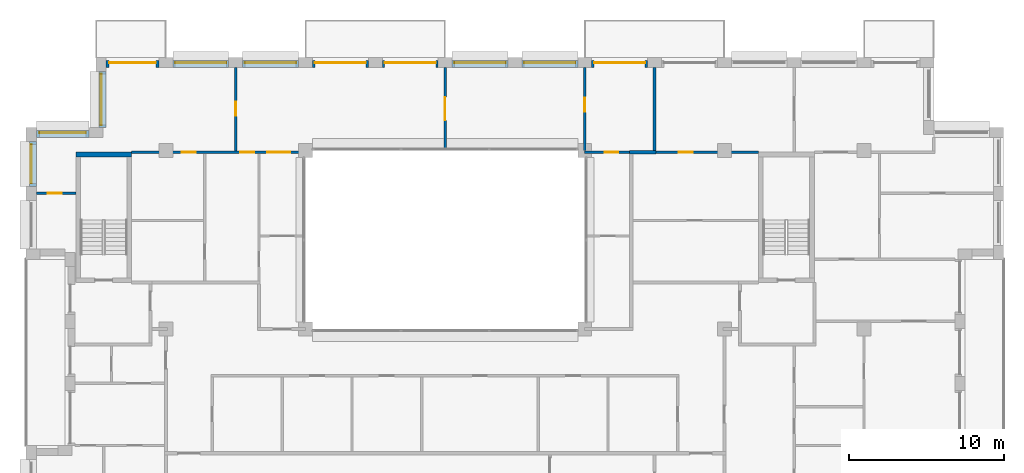
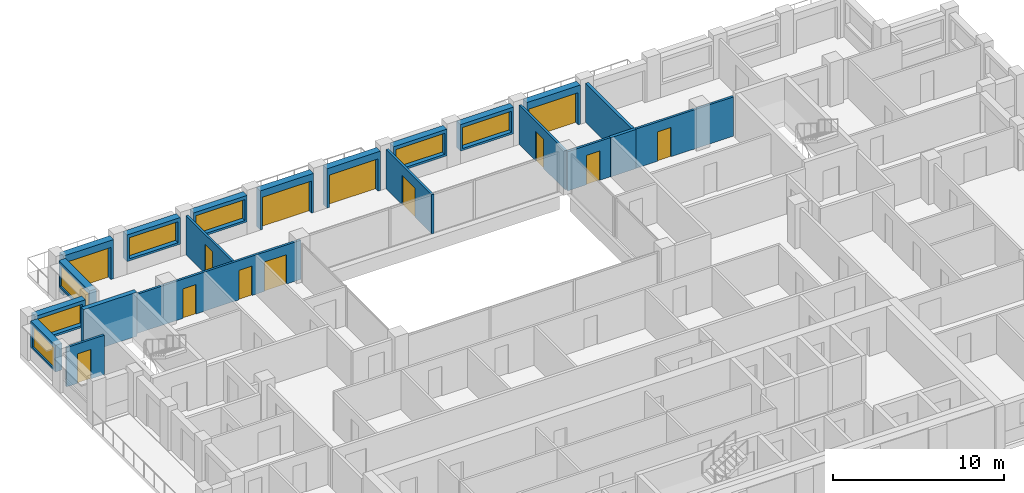
# One storey, part 13 of 15: 21 walls, 13 doors, 7 windows, 20 openings.
"""IFC4 building model written with IfcOpenShell, lengths in metres."""

from ifc_helpers import new_model, si_unit, direction, frame, frame_2d, origin, place, context, subcontext, project, spatial, rectangle, extrude, material, layer, layer_set, type_object, element, fill, save


model = new_model("IFC4")

# Units and contexts
model_context = context("Model", 3, precision=1e-05, world=origin(), true_north=direction((0.0, 1.0)))
body_context = subcontext(model_context, "Body", "Model", "MODEL_VIEW")
ifc_project = project(units=[si_unit("LENGTHUNIT", "METRE"), si_unit("AREAUNIT", "SQUARE_METRE"), si_unit("VOLUMEUNIT", "CUBIC_METRE"), si_unit("PLANEANGLEUNIT", "RADIAN"), si_unit("MASSUNIT", "GRAM", prefix="KILO")], contexts=[model_context])

# Site, building, storey
site_placement = place(None, origin())
site = spatial("IfcSite", under=ifc_project, at=site_placement, CompositionType="ELEMENT")
building_placement = place(site_placement, origin())
building = spatial("IfcBuilding", under=site, at=building_placement, Name="Brigalow Station Residences", CompositionType="ELEMENT")
storey_placement = place(building_placement, frame((0.0, 0.0, 232.64990234375)))
storey = spatial("IfcBuildingStorey", under=building, at=storey_placement, Name="L67", CompositionType="ELEMENT", Elevation=232.64990234375)

# Wall, opening, door
ifc_material_1 = material(Name="Clay brick masonry", Category="masonry")
ifc_layer_1 = layer(ifc_material_1, 0.449951171875)
ifc_layer_set_1 = layer_set([ifc_layer_1], Name="BRICK INFILL WALL 450")
wall_type_1 = type_object("IfcWallType", Name="BRICK INFILL WALL 450", PredefinedType="SOLIDWALL", material=ifc_layer_set_1)
wall_1_placement = place(storey_placement, frame((49.050048828125, 41.074951171875, 0.0), z_axis=(0.0, 0.0, 1.0), x_axis=(-1.0, 0.0, 0.0)))
wall_1 = element("IfcWall", 1, at=wall_1_placement, inside=storey, type_object=wall_type_1, Name="L67/ewall/W-L67-24", PredefinedType="SOLIDWALL", context=body_context, shape_type="SweptSolid", body=[
    extrude(rectangle(XDim=3.60009765625, YDim=0.449951171875, at=frame_2d((1.800048828125, 0.0))), origin(), (0.0, 0.0, 1.0), 2.800048828125),
])
opening_1_placement = place(wall_1_placement, frame((0.14990234375, 0.0, 0.0)))
opening_1 = element("IfcOpeningElement", 2, at=opening_1_placement, cuts=wall_1, Name="Opening D-B3300", PredefinedType="OPENING", context=body_context, shape_type="SweptSolid", body=[
    extrude(rectangle(XDim=3.300048828125, YDim=2.300048828125, at=frame_2d((1.64990234375, 1.14990234375))), frame((0.0, 0.23486328125, 0.0), z_axis=(0.0, -1.0, 0.0), x_axis=(1.0, 0.0, 0.0)), (0.0, 0.0, 1.0), 0.469970703125),
])
ifc_material_2 = material(Name="Anodised aluminium frame with double glazing", Category="aluminium")
door_type_1 = type_object("IfcDoorType", Name="BALCONY SLIDING DOOR 3300x2300", OperationType="SLIDING_TO_LEFT", PredefinedType="DOOR", material=ifc_material_2)
door_1_placement = place(opening_1_placement, origin())
door_1 = element("IfcDoor", 3, at=door_1_placement, inside=storey, type_object=door_type_1, Name="L67/balcony-door/W-L67-24", OperationType="SLIDING_TO_LEFT", OverallHeight=2.300048828125, OverallWidth=3.300048828125, PredefinedType="DOOR", context=body_context, shape_type="SweptSolid", body=[
    extrude(rectangle(XDim=3.300048828125, YDim=2.300048828125, at=frame_2d((1.64990234375, 1.14990234375))), frame((0.0, -0.06982421875, 0.0), z_axis=(0.0, -1.0, 0.0), x_axis=(1.0, 0.0, 0.0)), (0.0, 0.0, 1.0), 0.050048828125),
])
fill(opening_1, door_1)

# Wall, opening, window
wall_2_placement = place(storey_placement, frame((44.550048828125, 41.074951171875, 0.900146484375), z_axis=(0.0, 0.0, 1.0), x_axis=(-1.0, 0.0, 0.0)))
wall_2 = element("IfcWall", 4, at=wall_2_placement, inside=storey, type_object=wall_type_1, Name="L67/ewall/W-L67-25", PredefinedType="SOLIDWALL", context=body_context, shape_type="SweptSolid", body=[
    extrude(rectangle(XDim=3.60009765625, YDim=0.449951171875, at=frame_2d((1.800048828125, 0.0))), origin(), (0.0, 0.0, 1.0), 1.89990234375),
])
opening_2_placement = place(wall_2_placement, frame((0.14990234375, 0.0, 0.14990234375)))
opening_2 = element("IfcOpeningElement", 5, at=opening_2_placement, cuts=wall_2, Name="Opening WT-10", PredefinedType="OPENING", context=body_context, shape_type="SweptSolid", body=[
    extrude(rectangle(XDim=3.300048828125, YDim=1.5, at=frame_2d((1.64990234375, 0.75))), frame((0.0, 0.23486328125, 0.0), z_axis=(0.0, -1.0, 0.0), x_axis=(1.0, 0.0, 0.0)), (0.0, 0.0, 1.0), 0.469970703125),
])
ifc_material_3 = material(Name="Anodised aluminium frame with double glazing", Category="aluminium")
window_type_1 = type_object("IfcWindowType", Name="WINDOW 3300x1500", PartitioningType="SINGLE_PANEL", PredefinedType="WINDOW", material=ifc_material_3)
window_1_placement = place(opening_2_placement, origin())
window_1 = element("IfcWindow", 6, at=window_1_placement, inside=storey, type_object=window_type_1, Name="L67/window/W-L67-25", OverallHeight=1.5, OverallWidth=3.300048828125, PartitioningType="SINGLE_PANEL", PredefinedType="WINDOW", context=body_context, shape_type="SweptSolid", body=[
    extrude(rectangle(XDim=3.300048828125, YDim=1.5, at=frame_2d((1.64990234375, 0.75))), frame((0.0, -0.06494140625, 0.0), z_axis=(0.0, -1.0, 0.0), x_axis=(1.0, 0.0, 0.0)), (0.0, 0.0, 1.0), 0.06005859375),
])
fill(opening_2, window_1)

wall_3_placement = place(storey_placement, frame((40.050048828125, 41.074951171875, 0.900146484375), z_axis=(0.0, 0.0, 1.0), x_axis=(-1.0, 0.0, 0.0)))
wall_3 = element("IfcWall", 7, at=wall_3_placement, inside=storey, type_object=wall_type_1, Name="L67/ewall/W-L67-26", PredefinedType="SOLIDWALL", context=body_context, shape_type="SweptSolid", body=[
    extrude(rectangle(XDim=3.60009765625, YDim=0.449951171875, at=frame_2d((1.800048828125, 0.0))), origin(), (0.0, 0.0, 1.0), 1.89990234375),
])
opening_3_placement = place(wall_3_placement, frame((0.14990234375, 0.0, 0.14990234375)))
opening_3 = element("IfcOpeningElement", 8, at=opening_3_placement, cuts=wall_3, Name="Opening WT-10", PredefinedType="OPENING", context=body_context, shape_type="SweptSolid", body=[
    extrude(rectangle(XDim=3.300048828125, YDim=1.5, at=frame_2d((1.64990234375, 0.75))), frame((0.0, 0.23486328125, 0.0), z_axis=(0.0, -1.0, 0.0), x_axis=(1.0, 0.0, 0.0)), (0.0, 0.0, 1.0), 0.469970703125),
])
window_2_placement = place(opening_3_placement, origin())
window_2 = element("IfcWindow", 9, at=window_2_placement, inside=storey, type_object=window_type_1, Name="L67/window/W-L67-26", OverallHeight=1.5, OverallWidth=3.300048828125, PartitioningType="SINGLE_PANEL", PredefinedType="WINDOW", context=body_context, shape_type="SweptSolid", body=[
    extrude(rectangle(XDim=3.300048828125, YDim=1.5, at=frame_2d((1.64990234375, 0.75))), frame((0.0, -0.06494140625, 0.0), z_axis=(0.0, -1.0, 0.0), x_axis=(1.0, 0.0, 0.0)), (0.0, 0.0, 1.0), 0.06005859375),
])
fill(opening_3, window_2)

# Wall, opening, door
wall_4_placement = place(storey_placement, frame((35.550048828125, 41.074951171875, 0.0), z_axis=(0.0, 0.0, 1.0), x_axis=(-1.0, 0.0, 0.0)))
wall_4 = element("IfcWall", 10, at=wall_4_placement, inside=storey, type_object=wall_type_1, Name="L67/ewall/W-L67-27", PredefinedType="SOLIDWALL", context=body_context, shape_type="SweptSolid", body=[
    extrude(rectangle(XDim=3.60009765625, YDim=0.449951171875, at=frame_2d((1.800048828125, 0.0))), origin(), (0.0, 0.0, 1.0), 2.800048828125),
])
opening_4_placement = place(wall_4_placement, frame((0.14990234375, 0.0, 0.0)))
opening_4 = element("IfcOpeningElement", 11, at=opening_4_placement, cuts=wall_4, Name="Opening D-B3300", PredefinedType="OPENING", context=body_context, shape_type="SweptSolid", body=[
    extrude(rectangle(XDim=3.300048828125, YDim=2.300048828125, at=frame_2d((1.64990234375, 1.14990234375))), frame((0.0, 0.23486328125, 0.0), z_axis=(0.0, -1.0, 0.0), x_axis=(1.0, 0.0, 0.0)), (0.0, 0.0, 1.0), 0.469970703125),
])
door_2_placement = place(opening_4_placement, origin())
door_2 = element("IfcDoor", 12, at=door_2_placement, inside=storey, type_object=door_type_1, Name="L67/balcony-door/W-L67-27", OperationType="SLIDING_TO_LEFT", OverallHeight=2.300048828125, OverallWidth=3.300048828125, PredefinedType="DOOR", context=body_context, shape_type="SweptSolid", body=[
    extrude(rectangle(XDim=3.300048828125, YDim=2.300048828125, at=frame_2d((1.64990234375, 1.14990234375))), frame((0.0, -0.06982421875, 0.0), z_axis=(0.0, -1.0, 0.0), x_axis=(1.0, 0.0, 0.0)), (0.0, 0.0, 1.0), 0.050048828125),
])
fill(opening_4, door_2)

wall_5_placement = place(storey_placement, frame((31.050048828125, 41.074951171875, 0.0), z_axis=(0.0, 0.0, 1.0), x_axis=(-1.0, 0.0, 0.0)))
wall_5 = element("IfcWall", 13, at=wall_5_placement, inside=storey, type_object=wall_type_1, Name="L67/ewall/W-L67-28", PredefinedType="SOLIDWALL", context=body_context, shape_type="SweptSolid", body=[
    extrude(rectangle(XDim=3.60009765625, YDim=0.449951171875, at=frame_2d((1.800048828125, 0.0))), origin(), (0.0, 0.0, 1.0), 2.800048828125),
])
opening_5_placement = place(wall_5_placement, frame((0.14990234375, 0.0, 0.0)))
opening_5 = element("IfcOpeningElement", 14, at=opening_5_placement, cuts=wall_5, Name="Opening D-B3300", PredefinedType="OPENING", context=body_context, shape_type="SweptSolid", body=[
    extrude(rectangle(XDim=3.300048828125, YDim=2.300048828125, at=frame_2d((1.64990234375, 1.14990234375))), frame((0.0, 0.23486328125, 0.0), z_axis=(0.0, -1.0, 0.0), x_axis=(1.0, 0.0, 0.0)), (0.0, 0.0, 1.0), 0.469970703125),
])
door_3_placement = place(opening_5_placement, origin())
door_3 = element("IfcDoor", 15, at=door_3_placement, inside=storey, type_object=door_type_1, Name="L67/balcony-door/W-L67-28", OperationType="SLIDING_TO_LEFT", OverallHeight=2.300048828125, OverallWidth=3.300048828125, PredefinedType="DOOR", context=body_context, shape_type="SweptSolid", body=[
    extrude(rectangle(XDim=3.300048828125, YDim=2.300048828125, at=frame_2d((1.64990234375, 1.14990234375))), frame((0.0, -0.06982421875, 0.0), z_axis=(0.0, -1.0, 0.0), x_axis=(1.0, 0.0, 0.0)), (0.0, 0.0, 1.0), 0.050048828125),
])
fill(opening_5, door_3)

# Wall, opening, window
wall_6_placement = place(storey_placement, frame((26.550048828125, 41.074951171875, 0.900146484375), z_axis=(0.0, 0.0, 1.0), x_axis=(-1.0, 0.0, 0.0)))
wall_6 = element("IfcWall", 16, at=wall_6_placement, inside=storey, type_object=wall_type_1, Name="L67/ewall/W-L67-29", PredefinedType="SOLIDWALL", context=body_context, shape_type="SweptSolid", body=[
    extrude(rectangle(XDim=3.60009765625, YDim=0.449951171875, at=frame_2d((1.800048828125, 0.0))), origin(), (0.0, 0.0, 1.0), 1.89990234375),
])
opening_6_placement = place(wall_6_placement, frame((0.14990234375, 0.0, 0.14990234375)))
opening_6 = element("IfcOpeningElement", 17, at=opening_6_placement, cuts=wall_6, Name="Opening WT-10", PredefinedType="OPENING", context=body_context, shape_type="SweptSolid", body=[
    extrude(rectangle(XDim=3.300048828125, YDim=1.5, at=frame_2d((1.64990234375, 0.75))), frame((0.0, 0.23486328125, 0.0), z_axis=(0.0, -1.0, 0.0), x_axis=(1.0, 0.0, 0.0)), (0.0, 0.0, 1.0), 0.469970703125),
])
window_3_placement = place(opening_6_placement, origin())
window_3 = element("IfcWindow", 18, at=window_3_placement, inside=storey, type_object=window_type_1, Name="L67/window/W-L67-29", OverallHeight=1.5, OverallWidth=3.300048828125, PartitioningType="SINGLE_PANEL", PredefinedType="WINDOW", context=body_context, shape_type="SweptSolid", body=[
    extrude(rectangle(XDim=3.300048828125, YDim=1.5, at=frame_2d((1.64990234375, 0.75))), frame((0.0, -0.06494140625, 0.0), z_axis=(0.0, -1.0, 0.0), x_axis=(1.0, 0.0, 0.0)), (0.0, 0.0, 1.0), 0.06005859375),
])
fill(opening_6, window_3)

wall_7_placement = place(storey_placement, frame((22.050048828125, 41.074951171875, 0.900146484375), z_axis=(0.0, 0.0, 1.0), x_axis=(-1.0, 0.0, 0.0)))
wall_7 = element("IfcWall", 19, at=wall_7_placement, inside=storey, type_object=wall_type_1, Name="L67/ewall/W-L67-30", PredefinedType="SOLIDWALL", context=body_context, shape_type="SweptSolid", body=[
    extrude(rectangle(XDim=3.60009765625, YDim=0.449951171875, at=frame_2d((1.800048828125, 0.0))), origin(), (0.0, 0.0, 1.0), 1.89990234375),
])
opening_7_placement = place(wall_7_placement, frame((0.14990234375, 0.0, 0.14990234375)))
opening_7 = element("IfcOpeningElement", 20, at=opening_7_placement, cuts=wall_7, Name="Opening WT-10", PredefinedType="OPENING", context=body_context, shape_type="SweptSolid", body=[
    extrude(rectangle(XDim=3.300048828125, YDim=1.5, at=frame_2d((1.64990234375, 0.75))), frame((0.0, 0.23486328125, 0.0), z_axis=(0.0, -1.0, 0.0), x_axis=(1.0, 0.0, 0.0)), (0.0, 0.0, 1.0), 0.469970703125),
])
window_4_placement = place(opening_7_placement, origin())
window_4 = element("IfcWindow", 21, at=window_4_placement, inside=storey, type_object=window_type_1, Name="L67/window/W-L67-30", OverallHeight=1.5, OverallWidth=3.300048828125, PartitioningType="SINGLE_PANEL", PredefinedType="WINDOW", context=body_context, shape_type="SweptSolid", body=[
    extrude(rectangle(XDim=3.300048828125, YDim=1.5, at=frame_2d((1.64990234375, 0.75))), frame((0.0, -0.06494140625, 0.0), z_axis=(0.0, -1.0, 0.0), x_axis=(1.0, 0.0, 0.0)), (0.0, 0.0, 1.0), 0.06005859375),
])
fill(opening_7, window_4)

# Wall, opening, door
wall_8_placement = place(storey_placement, frame((17.550048828125, 41.074951171875, 0.0), z_axis=(0.0, 0.0, 1.0), x_axis=(-1.0, 0.0, 0.0)))
wall_8 = element("IfcWall", 22, at=wall_8_placement, inside=storey, type_object=wall_type_1, Name="L67/ewall/W-L67-31", PredefinedType="SOLIDWALL", context=body_context, shape_type="SweptSolid", body=[
    extrude(rectangle(XDim=3.400146484375, YDim=0.449951171875, at=frame_2d((1.7001953125, 0.0))), origin(), (0.0, 0.0, 1.0), 2.800048828125),
])
opening_8_placement = place(wall_8_placement, frame((0.199951171875, 0.0, 0.0)))
opening_8 = element("IfcOpeningElement", 23, at=opening_8_placement, cuts=wall_8, Name="Opening D-B3000", PredefinedType="OPENING", context=body_context, shape_type="SweptSolid", body=[
    extrude(rectangle(XDim=3.0, YDim=2.300048828125, at=frame_2d((1.5, 1.14990234375))), frame((0.0, 0.23486328125, 0.0), z_axis=(0.0, -1.0, 0.0), x_axis=(1.0, 0.0, 0.0)), (0.0, 0.0, 1.0), 0.469970703125),
])
ifc_material_4 = material(Name="Anodised aluminium frame with double glazing", Category="aluminium")
door_type_2 = type_object("IfcDoorType", Name="BALCONY SLIDING DOOR 3000x2300", OperationType="SLIDING_TO_LEFT", PredefinedType="DOOR", material=ifc_material_4)
door_4_placement = place(opening_8_placement, origin())
door_4 = element("IfcDoor", 24, at=door_4_placement, inside=storey, type_object=door_type_2, Name="L67/balcony-door/W-L67-31", OperationType="SLIDING_TO_LEFT", OverallHeight=2.300048828125, OverallWidth=3.0, PredefinedType="DOOR", context=body_context, shape_type="SweptSolid", body=[
    extrude(rectangle(XDim=3.0, YDim=2.300048828125, at=frame_2d((1.5, 1.14990234375))), frame((0.0, -0.06982421875, 0.0), z_axis=(0.0, -1.0, 0.0), x_axis=(1.0, 0.0, 0.0)), (0.0, 0.0, 1.0), 0.050048828125),
])
fill(opening_8, door_4)

# Wall, opening, window
wall_9_placement = place(storey_placement, frame((13.925048828125, 40.60009765625, 0.900146484375), z_axis=(0.0, 0.0, 1.0), x_axis=(0.0, -1.0, 0.0)))
wall_9 = element("IfcWall", 25, at=wall_9_placement, inside=storey, type_object=wall_type_1, Name="L67/ewall/W-L67-32", PredefinedType="SOLIDWALL", context=body_context, shape_type="SweptSolid", body=[
    extrude(rectangle(XDim=3.60009765625, YDim=0.449951171875, at=frame_2d((1.800048828125, 0.0))), origin(), (0.0, 0.0, 1.0), 1.89990234375),
])
opening_9_placement = place(wall_9_placement, frame((0.14990234375, 0.0, 0.14990234375)))
opening_9 = element("IfcOpeningElement", 26, at=opening_9_placement, cuts=wall_9, Name="Opening WT-10", PredefinedType="OPENING", context=body_context, shape_type="SweptSolid", body=[
    extrude(rectangle(XDim=3.300048828125, YDim=1.5, at=frame_2d((1.64990234375, 0.75))), frame((0.0, 0.23486328125, 0.0), z_axis=(0.0, -1.0, 0.0), x_axis=(1.0, 0.0, 0.0)), (0.0, 0.0, 1.0), 0.469970703125),
])
window_5_placement = place(opening_9_placement, origin())
window_5 = element("IfcWindow", 27, at=window_5_placement, inside=storey, type_object=window_type_1, Name="L67/window/W-L67-32", OverallHeight=1.5, OverallWidth=3.300048828125, PartitioningType="SINGLE_PANEL", PredefinedType="WINDOW", context=body_context, shape_type="SweptSolid", body=[
    extrude(rectangle(XDim=3.300048828125, YDim=1.5, at=frame_2d((1.64990234375, 0.75))), frame((0.0, -0.06494140625, 0.0), z_axis=(0.0, -1.0, 0.0), x_axis=(1.0, 0.0, 0.0)), (0.0, 0.0, 1.0), 0.06005859375),
])
fill(opening_9, window_5)

wall_10_placement = place(storey_placement, frame((13.050048828125, 36.574951171875, 0.900146484375), z_axis=(0.0, 0.0, 1.0), x_axis=(-1.0, 0.0, 0.0)))
wall_10 = element("IfcWall", 28, at=wall_10_placement, inside=storey, type_object=wall_type_1, Name="L67/ewall/W-L67-33", PredefinedType="SOLIDWALL", context=body_context, shape_type="SweptSolid", body=[
    extrude(rectangle(XDim=3.400146484375, YDim=0.449951171875, at=frame_2d((1.7001953125, 0.0))), origin(), (0.0, 0.0, 1.0), 1.89990234375),
])
opening_10_placement = place(wall_10_placement, frame((0.199951171875, 0.0, 0.14990234375)))
opening_10 = element("IfcOpeningElement", 29, at=opening_10_placement, cuts=wall_10, Name="Opening WT-2", PredefinedType="OPENING", context=body_context, shape_type="SweptSolid", body=[
    extrude(rectangle(XDim=3.0, YDim=1.5, at=frame_2d((1.5, 0.75))), frame((0.0, 0.23486328125, 0.0), z_axis=(0.0, -1.0, 0.0), x_axis=(1.0, 0.0, 0.0)), (0.0, 0.0, 1.0), 0.469970703125),
])
ifc_material_5 = material(Name="Anodised aluminium frame with double glazing", Category="aluminium")
window_type_2 = type_object("IfcWindowType", Name="WINDOW 3000x1500", PartitioningType="SINGLE_PANEL", PredefinedType="WINDOW", material=ifc_material_5)
window_6_placement = place(opening_10_placement, origin())
window_6 = element("IfcWindow", 30, at=window_6_placement, inside=storey, type_object=window_type_2, Name="L67/window/W-L67-33", OverallHeight=1.5, OverallWidth=3.0, PartitioningType="SINGLE_PANEL", PredefinedType="WINDOW", context=body_context, shape_type="SweptSolid", body=[
    extrude(rectangle(XDim=3.0, YDim=1.5, at=frame_2d((1.5, 0.75))), frame((0.0, -0.06494140625, 0.0), z_axis=(0.0, -1.0, 0.0), x_axis=(1.0, 0.0, 0.0)), (0.0, 0.0, 1.0), 0.06005859375),
])
fill(opening_10, window_6)

wall_11_placement = place(storey_placement, frame((9.425048828125, 36.10009765625, 0.900146484375), z_axis=(0.0, 0.0, 1.0), x_axis=(0.0, -1.0, 0.0)))
wall_11 = element("IfcWall", 31, at=wall_11_placement, inside=storey, type_object=wall_type_1, Name="L67/ewall/W-L67-34", PredefinedType="SOLIDWALL", context=body_context, shape_type="SweptSolid", body=[
    extrude(rectangle(XDim=2.900146484375, YDim=0.449951171875, at=frame_2d((1.4501953125, 0.0))), origin(), (0.0, 0.0, 1.0), 1.89990234375),
])
opening_11_placement = place(wall_11_placement, frame((0.199951171875, 0.0, 0.14990234375)))
opening_11 = element("IfcOpeningElement", 32, at=opening_11_placement, cuts=wall_11, Name="Opening WT-5", PredefinedType="OPENING", context=body_context, shape_type="SweptSolid", body=[
    extrude(rectangle(XDim=2.5, YDim=1.5, at=frame_2d((1.25, 0.75))), frame((0.0, 0.23486328125, 0.0), z_axis=(0.0, -1.0, 0.0), x_axis=(1.0, 0.0, 0.0)), (0.0, 0.0, 1.0), 0.469970703125),
])
ifc_material_6 = material(Name="Anodised aluminium frame with double glazing", Category="aluminium")
window_type_3 = type_object("IfcWindowType", Name="WINDOW 2500x1500", PartitioningType="SINGLE_PANEL", PredefinedType="WINDOW", material=ifc_material_6)
window_7_placement = place(opening_11_placement, origin())
window_7 = element("IfcWindow", 33, at=window_7_placement, inside=storey, type_object=window_type_3, Name="L67/window/W-L67-34", OverallHeight=1.5, OverallWidth=2.5, PartitioningType="SINGLE_PANEL", PredefinedType="WINDOW", context=body_context, shape_type="SweptSolid", body=[
    extrude(rectangle(XDim=2.5, YDim=1.5, at=frame_2d((1.25, 0.75))), frame((0.0, -0.06494140625, 0.0), z_axis=(0.0, -1.0, 0.0), x_axis=(1.0, 0.0, 0.0)), (0.0, 0.0, 1.0), 0.06005859375),
])
fill(opening_11, window_7)

# Wall
ifc_material_7 = material(Name="Concrete C50", Category="concrete")
ifc_layer_2 = layer(ifc_material_7, 0.300048828125)
ifc_layer_set_2 = layer_set([ifc_layer_2], Name="CORE SHEAR WALL 300 C50")
wall_type_2 = type_object("IfcWallType", Name="CORE SHEAR WALL 300 C50", PredefinedType="SHEAR", material=ifc_layer_set_2)
wall_12_placement = place(storey_placement, frame((12.199951171875, 35.25, 0.0), z_axis=(0.0, 0.0, 1.0), x_axis=(1.0, 0.0, 0.0)))
element("IfcWall", 34, at=wall_12_placement, inside=storey, type_object=wall_type_2, Name="CORE WALL ST-S1-N L67", PredefinedType="SHEAR", context=body_context, shape_type="SweptSolid", body=[
    extrude(rectangle(XDim=3.60009765625, YDim=0.300048828125, at=frame_2d((1.800048828125, 0.0))), origin(), (0.0, 0.0, 1.0), 3.150146484375),
])

# Wall, openings, doors
ifc_material_8 = material(Name="Plasterboard on steel stud partition", Category="steel")
ifc_layer_3 = layer(ifc_material_8, 0.14990234375)
ifc_layer_set_3 = layer_set([ifc_layer_3], Name="FLAT PARTITION 150")
wall_type_3 = type_object("IfcWallType", Name="FLAT PARTITION 150", PredefinedType="PARTITIONING", material=ifc_layer_set_3)
wall_13_placement = place(storey_placement, frame((15.800048828125, 35.39990234375, 0.0), z_axis=(0.0, 0.0, 1.0), x_axis=(1.0, 0.0, 0.0)))
wall_13 = element("IfcWall", 35, at=wall_13_placement, inside=storey, type_object=wall_type_3, Name="PW-4E19", PredefinedType="PARTITIONING", context=body_context, shape_type="SweptSolid", body=[
    extrude(rectangle(XDim=11.199951171875, YDim=0.14990234375, at=frame_2d((5.60009765625, 0.0))), origin(), (0.0, 0.0, 1.0), 2.800048828125),
])
opening_12_placement = place(wall_13_placement, frame((8.72509765625, 0.0, 0.0)))
opening_12 = element("IfcOpeningElement", 36, at=opening_12_placement, cuts=wall_13, Name="Opening D-4E15", PredefinedType="OPENING", context=body_context, shape_type="SweptSolid", body=[
    extrude(rectangle(XDim=1.5, YDim=2.10009765625, at=frame_2d((0.75, 1.050048828125))), frame((0.0, 0.0849609375, 0.0), z_axis=(0.0, -1.0, 0.0), x_axis=(1.0, 0.0, 0.0)), (0.0, 0.0, 1.0), 0.169921875),
])
opening_13_placement = place(wall_13_placement, frame((7.0, 0.0, 0.0)))
opening_13 = element("IfcOpeningElement", 37, at=opening_13_placement, cuts=wall_13, Name="Opening D-4E16", PredefinedType="OPENING", context=body_context, shape_type="SweptSolid", body=[
    extrude(rectangle(XDim=0.89990234375, YDim=2.10009765625, at=frame_2d((0.449951171875, 1.050048828125))), frame((0.0, 0.0849609375, 0.0), z_axis=(0.0, -1.0, 0.0), x_axis=(1.0, 0.0, 0.0)), (0.0, 0.0, 1.0), 0.169921875),
])
opening_14_placement = place(wall_13_placement, frame((3.22509765625, 0.0, 0.0)))
opening_14 = element("IfcOpeningElement", 38, at=opening_14_placement, cuts=wall_13, Name="Opening D-4E19", PredefinedType="OPENING", context=body_context, shape_type="SweptSolid", body=[
    extrude(rectangle(XDim=0.89990234375, YDim=2.10009765625, at=frame_2d((0.449951171875, 1.050048828125))), frame((0.0, 0.0849609375, 0.0), z_axis=(0.0, -1.0, 0.0), x_axis=(1.0, 0.0, 0.0)), (0.0, 0.0, 1.0), 0.169921875),
])
ifc_material_9 = material(Name="Solid-core timber door leaf", Category="wood")
door_type_3 = type_object("IfcDoorType", Name="INTERNAL DOOR 900 x 2100", OperationType="SINGLE_SWING_LEFT", PredefinedType="DOOR", material=ifc_material_9)
door_5_placement = place(opening_13_placement, frame((0.89990234375, 0.0, 0.0), z_axis=(0.0, 0.0, 1.0), x_axis=(-1.0, 0.0, 0.0)))
door_5 = element("IfcDoor", 39, at=door_5_placement, inside=storey, type_object=door_type_3, Name="D-4E16", OperationType="SINGLE_SWING_LEFT", OverallHeight=2.10009765625, OverallWidth=0.89990234375, PredefinedType="DOOR", context=body_context, shape_type="SweptSolid", body=[
    extrude(rectangle(XDim=0.89990234375, YDim=2.10009765625, at=frame_2d((0.449951171875, 1.050048828125))), frame((0.0, 0.02490234375, 0.0), z_axis=(0.0, -1.0, 0.0), x_axis=(1.0, 0.0, 0.0)), (0.0, 0.0, 1.0), 0.050048828125),
])
fill(opening_13, door_5)
door_6_placement = place(opening_14_placement, frame((0.89990234375, 0.0, 0.0), z_axis=(0.0, 0.0, 1.0), x_axis=(-1.0, 0.0, 0.0)))
door_6 = element("IfcDoor", 40, at=door_6_placement, inside=storey, type_object=door_type_3, Name="D-4E19", OperationType="SINGLE_SWING_LEFT", OverallHeight=2.10009765625, OverallWidth=0.89990234375, PredefinedType="DOOR", context=body_context, shape_type="SweptSolid", body=[
    extrude(rectangle(XDim=0.89990234375, YDim=2.10009765625, at=frame_2d((0.449951171875, 1.050048828125))), frame((0.0, 0.02490234375, 0.0), z_axis=(0.0, -1.0, 0.0), x_axis=(1.0, 0.0, 0.0)), (0.0, 0.0, 1.0), 0.050048828125),
])
fill(opening_14, door_6)
ifc_material_10 = material(Name="Solid-core timber door leaf", Category="wood")
door_type_4 = type_object("IfcDoorType", Name="INTERNAL DOUBLE DOOR 1500 x 2100", OperationType="DOUBLE_DOOR_SINGLE_SWING", PredefinedType="DOOR", material=ifc_material_10)
door_7_placement = place(opening_12_placement, origin())
door_7 = element("IfcDoor", 41, at=door_7_placement, inside=storey, type_object=door_type_4, Name="D-4E15", OperationType="DOUBLE_DOOR_SINGLE_SWING", OverallHeight=2.10009765625, OverallWidth=1.5, PredefinedType="DOOR", context=body_context, shape_type="SweptSolid", body=[
    extrude(rectangle(XDim=1.5, YDim=2.10009765625, at=frame_2d((0.75, 1.050048828125))), frame((0.0, 0.02490234375, 0.0), z_axis=(0.0, -1.0, 0.0), x_axis=(1.0, 0.0, 0.0)), (0.0, 0.0, 1.0), 0.050048828125),
])
fill(opening_12, door_7)

# Wall, opening, door
wall_14_placement = place(storey_placement, frame((45.0, 35.39990234375, 0.0), z_axis=(0.0, 0.0, 1.0), x_axis=(1.0, 0.0, 0.0)))
wall_14 = element("IfcWall", 42, at=wall_14_placement, inside=storey, type_object=wall_type_3, Name="PW-4E20", PredefinedType="PARTITIONING", context=body_context, shape_type="SweptSolid", body=[
    extrude(rectangle(XDim=3.10009765625, YDim=0.14990234375, at=frame_2d((1.550048828125, 0.0))), origin(), (0.0, 0.0, 1.0), 2.800048828125),
])
opening_15_placement = place(wall_14_placement, frame((1.27490234375, 0.0, 0.0)))
opening_15 = element("IfcOpeningElement", 43, at=opening_15_placement, cuts=wall_14, Name="Opening D-4E22", PredefinedType="OPENING", context=body_context, shape_type="SweptSolid", body=[
    extrude(rectangle(XDim=0.89990234375, YDim=2.10009765625, at=frame_2d((0.449951171875, 1.050048828125))), frame((0.0, 0.0849609375, 0.0), z_axis=(0.0, -1.0, 0.0), x_axis=(1.0, 0.0, 0.0)), (0.0, 0.0, 1.0), 0.169921875),
])
door_8_placement = place(opening_15_placement, frame((0.89990234375, 0.0, 0.0), z_axis=(0.0, 0.0, 1.0), x_axis=(-1.0, 0.0, 0.0)))
door_8 = element("IfcDoor", 44, at=door_8_placement, inside=storey, type_object=door_type_3, Name="D-4E22", OperationType="SINGLE_SWING_LEFT", OverallHeight=2.10009765625, OverallWidth=0.89990234375, PredefinedType="DOOR", context=body_context, shape_type="SweptSolid", body=[
    extrude(rectangle(XDim=0.89990234375, YDim=2.10009765625, at=frame_2d((0.449951171875, 1.050048828125))), frame((0.0, 0.02490234375, 0.0), z_axis=(0.0, -1.0, 0.0), x_axis=(1.0, 0.0, 0.0)), (0.0, 0.0, 1.0), 0.050048828125),
])
fill(opening_15, door_8)

wall_15_placement = place(storey_placement, frame((49.39990234375, 35.39990234375, 0.0), z_axis=(0.0, 0.0, 1.0), x_axis=(1.0, 0.0, 0.0)))
wall_15 = element("IfcWall", 45, at=wall_15_placement, inside=storey, type_object=wall_type_3, Name="PW-4E21", PredefinedType="PARTITIONING", context=body_context, shape_type="SweptSolid", body=[
    extrude(rectangle(XDim=6.800048828125, YDim=0.14990234375, at=frame_2d((3.39990234375, 0.0))), origin(), (0.0, 0.0, 1.0), 2.800048828125),
])
opening_16_placement = place(wall_15_placement, frame((1.675048828125, 0.0, 0.0)))
opening_16 = element("IfcOpeningElement", 46, at=opening_16_placement, cuts=wall_15, Name="Opening D-4E42", PredefinedType="OPENING", context=body_context, shape_type="SweptSolid", body=[
    extrude(rectangle(XDim=0.89990234375, YDim=2.10009765625, at=frame_2d((0.449951171875, 1.050048828125))), frame((0.0, 0.0849609375, 0.0), z_axis=(0.0, -1.0, 0.0), x_axis=(1.0, 0.0, 0.0)), (0.0, 0.0, 1.0), 0.169921875),
])
door_9_placement = place(opening_16_placement, frame((0.89990234375, 0.0, 0.0), z_axis=(0.0, 0.0, 1.0), x_axis=(-1.0, 0.0, 0.0)))
door_9 = element("IfcDoor", 47, at=door_9_placement, inside=storey, type_object=door_type_3, Name="D-4E42", OperationType="SINGLE_SWING_RIGHT", OverallHeight=2.10009765625, OverallWidth=0.89990234375, PredefinedType="DOOR", context=body_context, shape_type="SweptSolid", body=[
    extrude(rectangle(XDim=0.89990234375, YDim=2.10009765625, at=frame_2d((0.449951171875, 1.050048828125))), frame((0.0, 0.02490234375, 0.0), z_axis=(0.0, -1.0, 0.0), x_axis=(1.0, 0.0, 0.0)), (0.0, 0.0, 1.0), 0.050048828125),
])
fill(opening_16, door_9)

wall_16_placement = place(storey_placement, frame((9.64990234375, 32.75, 0.0), z_axis=(0.0, 0.0, 1.0), x_axis=(1.0, 0.0, 0.0)))
wall_16 = element("IfcWall", 48, at=wall_16_placement, inside=storey, type_object=wall_type_3, Name="PW-4E26", PredefinedType="PARTITIONING", context=body_context, shape_type="SweptSolid", body=[
    extrude(rectangle(XDim=2.550048828125, YDim=0.14990234375, at=frame_2d((1.27490234375, 0.0))), origin(), (0.0, 0.0, 1.0), 2.800048828125),
])
opening_17_placement = place(wall_16_placement, frame((0.75, 0.0, 0.0)))
opening_17 = element("IfcOpeningElement", 49, at=opening_17_placement, cuts=wall_16, Name="Opening D-4E18", PredefinedType="OPENING", context=body_context, shape_type="SweptSolid", body=[
    extrude(rectangle(XDim=0.89990234375, YDim=2.10009765625, at=frame_2d((0.449951171875, 1.050048828125))), frame((0.0, 0.0849609375, 0.0), z_axis=(0.0, -1.0, 0.0), x_axis=(1.0, 0.0, 0.0)), (0.0, 0.0, 1.0), 0.169921875),
])
door_10_placement = place(opening_17_placement, frame((0.89990234375, 0.0, 0.0), z_axis=(0.0, 0.0, 1.0), x_axis=(-1.0, 0.0, 0.0)))
door_10 = element("IfcDoor", 50, at=door_10_placement, inside=storey, type_object=door_type_3, Name="D-4E18", OperationType="SINGLE_SWING_RIGHT", OverallHeight=2.10009765625, OverallWidth=0.89990234375, PredefinedType="DOOR", context=body_context, shape_type="SweptSolid", body=[
    extrude(rectangle(XDim=0.89990234375, YDim=2.10009765625, at=frame_2d((0.449951171875, 1.050048828125))), frame((0.0, 0.02490234375, 0.0), z_axis=(0.0, -1.0, 0.0), x_axis=(1.0, 0.0, 0.0)), (0.0, 0.0, 1.0), 0.050048828125),
])
fill(opening_17, door_10)

wall_17_placement = place(storey_placement, frame((22.5, 35.47509765625, 0.0), z_axis=(0.0, 0.0, 1.0), x_axis=(0.0, 1.0, 0.0)))
wall_17 = element("IfcWall", 51, at=wall_17_placement, inside=storey, type_object=wall_type_3, Name="PW-4E42", PredefinedType="PARTITIONING", context=body_context, shape_type="SweptSolid", body=[
    extrude(rectangle(XDim=5.375, YDim=0.14990234375, at=frame_2d((2.6875, 0.0))), origin(), (0.0, 0.0, 1.0), 2.800048828125),
])
opening_18_placement = place(wall_17_placement, frame((2.27490234375, 0.0, 0.0)))
opening_18 = element("IfcOpeningElement", 52, at=opening_18_placement, cuts=wall_17, Name="Opening D-4E17", PredefinedType="OPENING", context=body_context, shape_type="SweptSolid", body=[
    extrude(rectangle(XDim=0.89990234375, YDim=2.10009765625, at=frame_2d((0.449951171875, 1.050048828125))), frame((0.0, 0.0849609375, 0.0), z_axis=(0.0, -1.0, 0.0), x_axis=(1.0, 0.0, 0.0)), (0.0, 0.0, 1.0), 0.169921875),
])
door_11_placement = place(opening_18_placement, origin())
door_11 = element("IfcDoor", 53, at=door_11_placement, inside=storey, type_object=door_type_3, Name="D-4E17", OperationType="SINGLE_SWING_RIGHT", OverallHeight=2.10009765625, OverallWidth=0.89990234375, PredefinedType="DOOR", context=body_context, shape_type="SweptSolid", body=[
    extrude(rectangle(XDim=0.89990234375, YDim=2.10009765625, at=frame_2d((0.449951171875, 1.050048828125))), frame((0.0, 0.02490234375, 0.0), z_axis=(0.0, -1.0, 0.0), x_axis=(1.0, 0.0, 0.0)), (0.0, 0.0, 1.0), 0.050048828125),
])
fill(opening_18, door_11)

wall_18_placement = place(storey_placement, frame((36.0, 35.5, 0.0), z_axis=(0.0, 0.0, 1.0), x_axis=(0.0, 1.0, 0.0)))
wall_18 = element("IfcWall", 54, at=wall_18_placement, inside=storey, type_object=wall_type_3, Name="PW-4E43", PredefinedType="PARTITIONING", context=body_context, shape_type="SweptSolid", body=[
    extrude(rectangle(XDim=5.35009765625, YDim=0.14990234375, at=frame_2d((2.675048828125, 0.0))), origin(), (0.0, 0.0, 1.0), 2.800048828125),
])
opening_19_placement = place(wall_18_placement, frame((1.949951171875, 0.0, 0.0)))
opening_19 = element("IfcOpeningElement", 55, at=opening_19_placement, cuts=wall_18, Name="Opening D-4E20", PredefinedType="OPENING", context=body_context, shape_type="SweptSolid", body=[
    extrude(rectangle(XDim=1.5, YDim=2.10009765625, at=frame_2d((0.75, 1.050048828125))), frame((0.0, 0.0849609375, 0.0), z_axis=(0.0, -1.0, 0.0), x_axis=(1.0, 0.0, 0.0)), (0.0, 0.0, 1.0), 0.169921875),
])
door_12_placement = place(opening_19_placement, frame((1.5, 0.0, 0.0), z_axis=(0.0, 0.0, 1.0), x_axis=(-1.0, 0.0, 0.0)))
door_12 = element("IfcDoor", 56, at=door_12_placement, inside=storey, type_object=door_type_4, Name="D-4E20", OperationType="DOUBLE_DOOR_SINGLE_SWING", OverallHeight=2.10009765625, OverallWidth=1.5, PredefinedType="DOOR", context=body_context, shape_type="SweptSolid", body=[
    extrude(rectangle(XDim=1.5, YDim=2.10009765625, at=frame_2d((0.75, 1.050048828125))), frame((0.0, 0.02490234375, 0.0), z_axis=(0.0, -1.0, 0.0), x_axis=(1.0, 0.0, 0.0)), (0.0, 0.0, 1.0), 0.050048828125),
])
fill(opening_19, door_12)

wall_19_placement = place(storey_placement, frame((45.0, 35.5, 0.0), z_axis=(0.0, 0.0, 1.0), x_axis=(0.0, 1.0, 0.0)))
wall_19 = element("IfcWall", 57, at=wall_19_placement, inside=storey, type_object=wall_type_3, Name="PW-4E44", PredefinedType="PARTITIONING", context=body_context, shape_type="SweptSolid", body=[
    extrude(rectangle(XDim=5.35009765625, YDim=0.14990234375, at=frame_2d((2.675048828125, 0.0))), origin(), (0.0, 0.0, 1.0), 2.800048828125),
])
opening_20_placement = place(wall_19_placement, frame((2.52490234375, 0.0, 0.0)))
opening_20 = element("IfcOpeningElement", 58, at=opening_20_placement, cuts=wall_19, Name="Opening D-4E21", PredefinedType="OPENING", context=body_context, shape_type="SweptSolid", body=[
    extrude(rectangle(XDim=0.89990234375, YDim=2.10009765625, at=frame_2d((0.449951171875, 1.050048828125))), frame((0.0, 0.0849609375, 0.0), z_axis=(0.0, -1.0, 0.0), x_axis=(1.0, 0.0, 0.0)), (0.0, 0.0, 1.0), 0.169921875),
])
door_13_placement = place(opening_20_placement, frame((0.89990234375, 0.0, 0.0), z_axis=(0.0, 0.0, 1.0), x_axis=(-1.0, 0.0, 0.0)))
door_13 = element("IfcDoor", 59, at=door_13_placement, inside=storey, type_object=door_type_3, Name="D-4E21", OperationType="SINGLE_SWING_LEFT", OverallHeight=2.10009765625, OverallWidth=0.89990234375, PredefinedType="DOOR", context=body_context, shape_type="SweptSolid", body=[
    extrude(rectangle(XDim=0.89990234375, YDim=2.10009765625, at=frame_2d((0.449951171875, 1.050048828125))), frame((0.0, 0.02490234375, 0.0), z_axis=(0.0, -1.0, 0.0), x_axis=(1.0, 0.0, 0.0)), (0.0, 0.0, 1.0), 0.050048828125),
])
fill(opening_20, door_13)

# Walls
ifc_material_11 = material(Name="Plasterboard on steel stud partition", Category="steel")
ifc_layer_4 = layer(ifc_material_11, 0.199951171875)
ifc_layer_set_4 = layer_set([ifc_layer_4], Name="PARTY AND CORRIDOR WALL 200")
wall_type_4 = type_object("IfcWallType", Name="PARTY AND CORRIDOR WALL 200", PredefinedType="PARTITIONING", material=ifc_layer_set_4)
wall_20_placement = place(storey_placement, frame((47.89990234375, 35.39990234375, 0.0), z_axis=(0.0, 0.0, 1.0), x_axis=(1.0, 0.0, 0.0)))
element("IfcWall", 60, at=wall_20_placement, inside=storey, type_object=wall_type_4, Name="PW-4E23", PredefinedType="PARTITIONING", context=body_context, shape_type="SweptSolid", body=[
    extrude(rectangle(XDim=1.7001953125, YDim=0.199951171875, at=frame_2d((0.85009765625, 0.0))), origin(), (0.0, 0.0, 1.0), 2.800048828125),
])
wall_21_placement = place(storey_placement, frame((49.5, 35.47509765625, 0.0), z_axis=(0.0, 0.0, 1.0), x_axis=(0.0, 1.0, 0.0)))
element("IfcWall", 61, at=wall_21_placement, inside=storey, type_object=wall_type_4, Name="PW-4E45", PredefinedType="PARTITIONING", context=body_context, shape_type="SweptSolid", body=[
    extrude(rectangle(XDim=5.375, YDim=0.199951171875, at=frame_2d((2.6875, 0.0))), origin(), (0.0, 0.0, 1.0), 2.800048828125),
])

save(model, "model.ifc")
